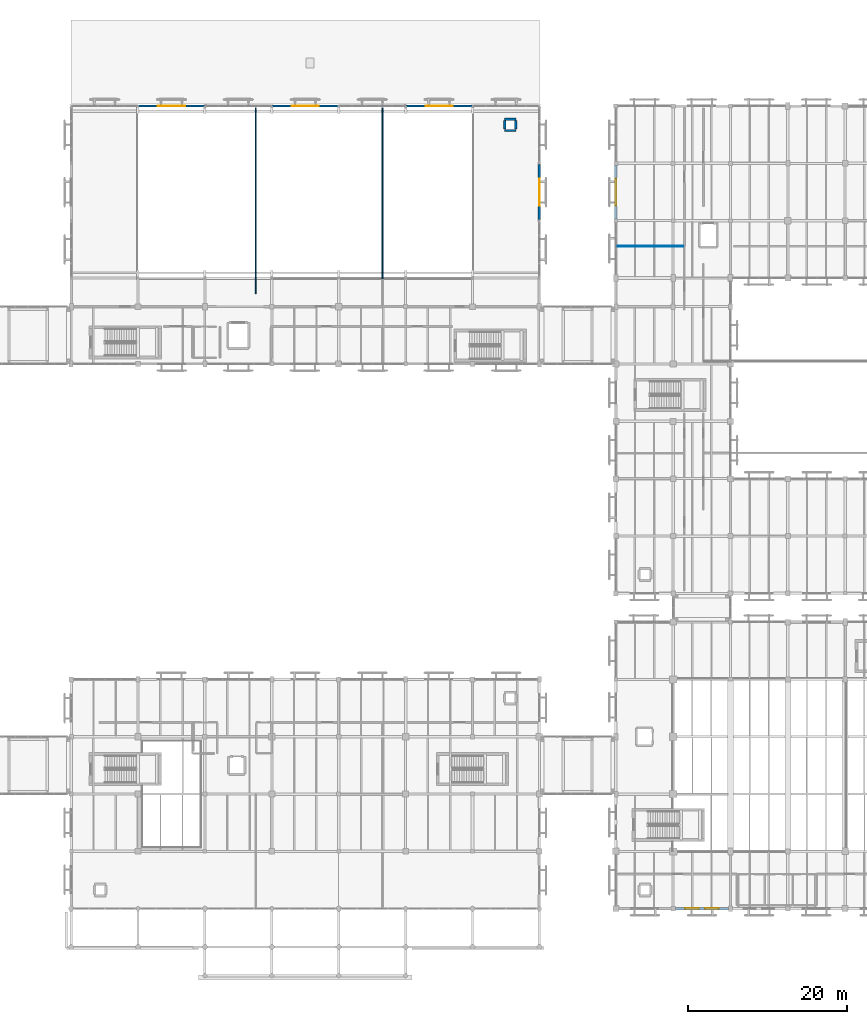
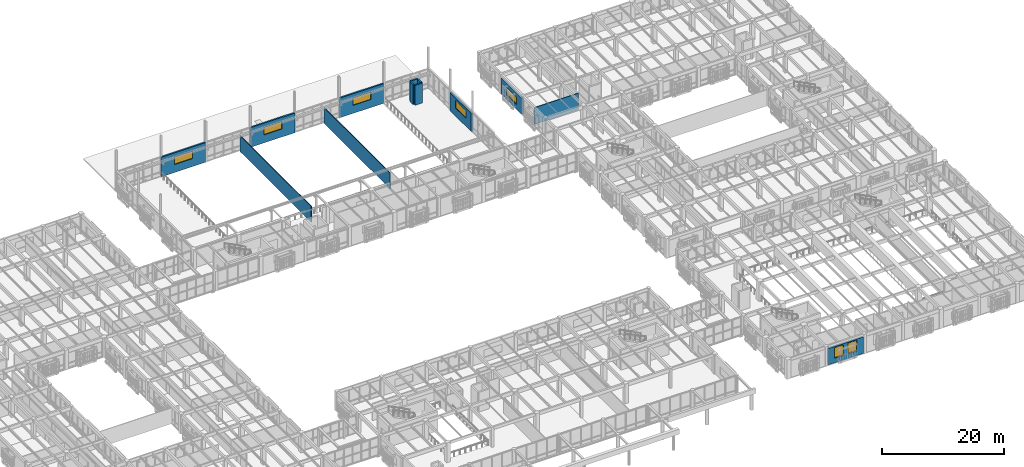
# One storey, part 136 of 170: 13 walls, 7 windows, 7 openings.
"""IFC4 building model written with IfcOpenShell, lengths in metres."""

from ifc_helpers import new_model, si_unit, direction, frame, frame_2d, origin, place, context, subcontext, project, spatial, rectangle, extrude, material, layer, layer_set, type_object, element, fill, save


model = new_model("IFC4")

# Units and contexts
model_context = context("Model", 3, precision=1e-05, world=origin(), true_north=direction((0.0, 1.0)))
body_context = subcontext(model_context, "Body", "Model", "MODEL_VIEW")
ifc_project = project(units=[si_unit("LENGTHUNIT", "METRE"), si_unit("AREAUNIT", "SQUARE_METRE"), si_unit("VOLUMEUNIT", "CUBIC_METRE"), si_unit("PLANEANGLEUNIT", "RADIAN"), si_unit("MASSUNIT", "GRAM", prefix="KILO")], contexts=[model_context])

# Site, building, storey
site_placement = place(None, origin())
site = spatial("IfcSite", under=ifc_project, at=site_placement, CompositionType="ELEMENT")
building_placement = place(site_placement, origin())
building = spatial("IfcBuilding", under=site, at=building_placement, Name="Mazaris Harbour Polytechnic", CompositionType="ELEMENT")
storey_placement = place(building_placement, frame((0.0, 0.0, 5.39990234375)))
storey = spatial("IfcBuildingStorey", under=building, at=storey_placement, Name="L01", CompositionType="ELEMENT", Elevation=5.39990234375)

# Walls
ifc_material_1 = material(Name="Gypsum Board and Mineral Wool")
ifc_layer_1 = layer(ifc_material_1, 0.1201171875, Name="Gypsum Board and Mineral Wool")
ifc_layer_set_1 = layer_set([ifc_layer_1], Name="Gypsum Board and Mineral Wool")
wall_type_1 = type_object("IfcWallType", Name="Acoustic Stud Partition 120", PredefinedType="PARTITIONING", material=ifc_layer_set_1)
wall_1_placement = place(storey_placement, frame((122.64990234375, 90.385986328125, 0.0), z_axis=(0.0, 0.0, 1.0), x_axis=(1.0, 0.0, 0.0)))
element("IfcWall", 1, at=wall_1_placement, inside=storey, type_object=wall_type_1, Name="V5 L01 Partition 583", PredefinedType="PARTITIONING", context=body_context, shape_type="SweptSolid", body=[
    extrude(rectangle(XDim=8.22998046875, YDim=0.1201171875, at=frame_2d((4.114990234375, 0.0))), origin(), (0.0, 0.0, 1.0), 3.340087890625),
])
ifc_material_2 = material(Name="Double Gypsum and Mineral Wool")
ifc_layer_2 = layer(ifc_material_2, 0.14990234375, Name="Double Gypsum and Mineral Wool")
ifc_layer_set_2 = layer_set([ifc_layer_2], Name="Double Gypsum and Mineral Wool")
wall_type_2 = type_object("IfcWallType", Name="Classroom Acoustic Partition 150", PredefinedType="PARTITIONING", material=ifc_layer_set_2)
wall_2_placement = place(storey_placement, frame((93.10009765625, 86.235107421875, 0.0), z_axis=(0.0, 0.0, 1.0), x_axis=(0.0, 1.0, 0.0)))
element("IfcWall", 2, at=wall_2_placement, inside=storey, type_object=wall_type_2, Name="V1 L01 Partition 58", PredefinedType="PARTITIONING", context=body_context, shape_type="SweptSolid", body=[
    extrude(rectangle(XDim=21.514892578125, YDim=0.14990234375, at=frame_2d((10.75732421875, 0.0))), origin(), (0.0, 0.0, 1.0), 3.125),
])

# Wall, opening, window
ifc_material_3 = material(Name="Algerian Buff Limestone and Mineral Wool", Category="masonry")
ifc_layer_3 = layer(ifc_material_3, 0.31005859375, Name="Algerian Buff Limestone and Mineral Wool")
ifc_layer_set_3 = layer_set([ifc_layer_3], Name="Algerian Buff Limestone and Mineral Wool")
wall_type_3 = type_object("IfcWallType", Name="Limestone Studio Wall 310", PredefinedType="STANDARD", material=ifc_layer_set_3)
wall_3_placement = place(storey_placement, frame((122.39990234375, 93.81689453125, 0.0), z_axis=(0.0, 0.0, 1.0), x_axis=(0.0, 1.0, 0.0)))
wall_3 = element("IfcWall", 3, at=wall_3_placement, inside=storey, type_object=wall_type_3, Name="V5 L01 Exterior Wall 323", PredefinedType="STANDARD", context=body_context, shape_type="SweptSolid", body=[
    extrude(rectangle(XDim=6.7412109375, YDim=0.31005859375, at=frame_2d((3.37060546875, 0.0))), origin(), (0.0, 0.0, 1.0), 3.18017578125),
])
opening_1_placement = place(wall_3_placement, frame((1.67041015625, 0.0, 0.89990234375)))
opening_1 = element("IfcOpeningElement", 4, at=opening_1_placement, cuts=wall_3, Name="Opening WN-16", PredefinedType="OPENING", context=body_context, shape_type="SweptSolid", body=[
    extrude(rectangle(XDim=3.39990234375, YDim=1.5, at=frame_2d((1.699951171875, 0.75))), frame((0.0, 0.1650390625, 0.0), z_axis=(0.0, -1.0, 0.0), x_axis=(1.0, 0.0, 0.0)), (0.0, 0.0, 1.0), 0.330078125),
])
ifc_material_4 = material(Name="Thermally Broken Bronze Aluminium and Low-E Glass", Category="aluminium")
window_type_1 = type_object("IfcWindowType", Name="Workshop Clerestory Ribbon 3400x1500", PartitioningType="DOUBLE_PANEL_VERTICAL", PredefinedType="WINDOW", material=ifc_material_4)
window_1_placement = place(opening_1_placement, origin())
window_1 = element("IfcWindow", 5, at=window_1_placement, inside=storey, type_object=window_type_1, Name="WN-0375", OverallHeight=1.5, OverallWidth=3.39990234375, PartitioningType="DOUBLE_PANEL_VERTICAL", PredefinedType="WINDOW", context=body_context, shape_type="SweptSolid", body=[
    extrude(rectangle(XDim=3.39990234375, YDim=1.5, at=frame_2d((1.699951171875, 0.75))), frame((0.0, 0.030029296875, 0.0), z_axis=(0.0, -1.0, 0.0), x_axis=(1.0, 0.0, 0.0)), (0.0, 0.0, 1.0), 0.06005859375),
])
fill(opening_1, window_1)

# Wall, openings, windows
ifc_material_5 = material(Name="Algerian Buff Limestone and Concrete C30/37", Category="masonry")
ifc_layer_4 = layer(ifc_material_5, 0.344970703125, Name="Algerian Buff Limestone and Concrete C30/37")
ifc_layer_set_4 = layer_set([ifc_layer_4], Name="Algerian Buff Limestone and Concrete C30/37")
wall_type_4 = type_object("IfcWallType", Name="Pavilion Gable Wall 345", PredefinedType="STANDARD", material=ifc_layer_set_4)
wall_4_placement = place(storey_placement, frame((136.55810546875, 7.199951171875, 0.0), z_axis=(0.0, 0.0, 1.0), x_axis=(-1.0, 0.0, 0.0)))
wall_4 = element("IfcWall", 6, at=wall_4_placement, inside=storey, type_object=wall_type_4, Name="V2 L01 Exterior Wall 52", PredefinedType="STANDARD", context=body_context, shape_type="SweptSolid", body=[
    extrude(rectangle(XDim=6.691162109375, YDim=0.344970703125, at=frame_2d((3.345703125, 0.0))), origin(), (0.0, 0.0, 1.0), 3.27001953125),
])
opening_2_placement = place(wall_4_placement, frame((1.24560546875, 0.0, 0.949951171875)))
opening_2 = element("IfcOpeningElement", 7, at=opening_2_placement, cuts=wall_4, Name="Opening WN-11", PredefinedType="OPENING", context=body_context, shape_type="SweptSolid", body=[
    extrude(rectangle(XDim=1.699951171875, YDim=2.10009765625, at=frame_2d((0.85009765625, 1.050048828125))), frame((0.0, 0.182373046875, 0.0), z_axis=(0.0, -1.0, 0.0), x_axis=(1.0, 0.0, 0.0)), (0.0, 0.0, 1.0), 0.364990234375),
])
opening_3_placement = place(wall_4_placement, frame((3.74560546875, 0.0, 0.949951171875)))
opening_3 = element("IfcOpeningElement", 8, at=opening_3_placement, cuts=wall_4, Name="Opening WN-11", PredefinedType="OPENING", context=body_context, shape_type="SweptSolid", body=[
    extrude(rectangle(XDim=1.699951171875, YDim=2.10009765625, at=frame_2d((0.85009765625, 1.050048828125))), frame((0.0, 0.182373046875, 0.0), z_axis=(0.0, -1.0, 0.0), x_axis=(1.0, 0.0, 0.0)), (0.0, 0.0, 1.0), 0.364990234375),
])
ifc_material_6 = material(Name="Thermally Broken Bronze Aluminium and Low-E Glass", Category="aluminium")
window_type_2 = type_object("IfcWindowType", Name="Seminar Casement Window 1700x2100", PartitioningType="DOUBLE_PANEL_VERTICAL", PredefinedType="WINDOW", material=ifc_material_6)
window_2_placement = place(opening_2_placement, origin())
window_2 = element("IfcWindow", 9, at=window_2_placement, inside=storey, type_object=window_type_2, Name="WN-0039", OverallHeight=2.10009765625, OverallWidth=1.699951171875, PartitioningType="DOUBLE_PANEL_VERTICAL", PredefinedType="WINDOW", context=body_context, shape_type="SweptSolid", body=[
    extrude(rectangle(XDim=1.699951171875, YDim=2.10009765625, at=frame_2d((0.85009765625, 1.050048828125))), frame((0.0, 0.030029296875, 0.0), z_axis=(0.0, -1.0, 0.0), x_axis=(1.0, 0.0, 0.0)), (0.0, 0.0, 1.0), 0.06005859375),
])
fill(opening_2, window_2)
window_3_placement = place(opening_3_placement, origin())
window_3 = element("IfcWindow", 10, at=window_3_placement, inside=storey, type_object=window_type_2, Name="WN-0040", OverallHeight=2.10009765625, OverallWidth=1.699951171875, PartitioningType="DOUBLE_PANEL_VERTICAL", PredefinedType="WINDOW", context=body_context, shape_type="SweptSolid", body=[
    extrude(rectangle(XDim=1.699951171875, YDim=2.10009765625, at=frame_2d((0.85009765625, 1.050048828125))), frame((0.0, 0.030029296875, 0.0), z_axis=(0.0, -1.0, 0.0), x_axis=(1.0, 0.0, 0.0)), (0.0, 0.0, 1.0), 0.06005859375),
])
fill(opening_3, window_3)

# Walls
ifc_material_7 = material(Name="Concrete C40/50", Category="concrete")
ifc_layer_5 = layer(ifc_material_7, 0.300048828125, Name="Concrete C40/50")
ifc_layer_set_5 = layer_set([ifc_layer_5], Name="Concrete C40/50")
wall_type_5 = type_object("IfcWallType", Name="RC Lift Shaft Wall 300", PredefinedType="SHEAR", material=ifc_layer_set_5)
wall_5_placement = place(storey_placement, frame((108.429931640625, 104.929931640625, 0.0), z_axis=(0.0, 0.0, 1.0), x_axis=(1.0, 0.0, 0.0)))
element("IfcWall", 11, at=wall_5_placement, inside=storey, type_object=wall_type_5, Name="V1 L01 Riser Enclosure Wall 1-1", PredefinedType="SHEAR", context=body_context, shape_type="SweptSolid", body=[
    extrude(rectangle(XDim=1.420166015625, YDim=0.300048828125, at=frame_2d((0.7099609375, 0.0))), origin(), (0.0, 0.0, 1.0), 3.960205078125),
])
wall_6_placement = place(storey_placement, frame((109.85009765625, 105.090087890625, 0.0), z_axis=(0.0, 0.0, 1.0), x_axis=(0.0, 1.0, 0.0)))
element("IfcWall", 12, at=wall_6_placement, inside=storey, type_object=wall_type_5, Name="V1 L01 Riser Enclosure Wall 1-2", PredefinedType="SHEAR", context=body_context, shape_type="SweptSolid", body=[
    extrude(rectangle(XDim=1.099853515625, YDim=0.300048828125, at=frame_2d((0.5498046875, 0.0))), origin(), (0.0, 0.0, 1.0), 3.960205078125),
])
wall_7_placement = place(storey_placement, frame((109.85009765625, 106.35009765625, 0.0), z_axis=(0.0, 0.0, 1.0), x_axis=(-1.0, 0.0, 0.0)))
element("IfcWall", 13, at=wall_7_placement, inside=storey, type_object=wall_type_5, Name="V1 L01 Riser Enclosure Wall 1-3", PredefinedType="SHEAR", context=body_context, shape_type="SweptSolid", body=[
    extrude(rectangle(XDim=1.420166015625, YDim=0.300048828125, at=frame_2d((0.7099609375, 0.0))), origin(), (0.0, 0.0, 1.0), 3.960205078125),
])
wall_8_placement = place(storey_placement, frame((108.429931640625, 106.18994140625, 0.0), z_axis=(0.0, 0.0, 1.0), x_axis=(0.0, -1.0, 0.0)))
element("IfcWall", 14, at=wall_8_placement, inside=storey, type_object=wall_type_5, Name="V1 L01 Riser Enclosure Wall 1-4", PredefinedType="SHEAR", context=body_context, shape_type="SweptSolid", body=[
    extrude(rectangle(XDim=1.099853515625, YDim=0.300048828125, at=frame_2d((0.5498046875, 0.0))), origin(), (0.0, 0.0, 1.0), 3.960205078125),
])
ifc_material_8 = material(Name="Gypsum Board and Mineral Wool")
ifc_layer_6 = layer(ifc_material_8, 0.135009765625, Name="Gypsum Board and Mineral Wool")
ifc_layer_set_6 = layer_set([ifc_layer_6], Name="Gypsum Board and Mineral Wool")
wall_type_6 = type_object("IfcWallType", Name="Studio Partition Wall 135", PredefinedType="PARTITIONING", material=ifc_layer_set_6)
wall_9_placement = place(storey_placement, frame((77.197998046875, 84.43994140625, 0.0), z_axis=(0.0, 0.0, 1.0), x_axis=(0.0, 1.0, 0.0)))
element("IfcWall", 15, at=wall_9_placement, inside=storey, type_object=wall_type_6, Name="V1 L01 Partition 54", PredefinedType="PARTITIONING", context=body_context, shape_type="SweptSolid", body=[
    extrude(rectangle(XDim=23.31005859375, YDim=0.135009765625, at=frame_2d((11.655029296875, 0.0))), origin(), (0.0, 0.0, 1.0), 3.125),
])

# Wall, opening, window
ifc_material_9 = material(Name="Terracotta Masonry and Concrete C30/37", Category="masonry")
ifc_layer_7 = layer(ifc_material_9, 0.2900390625, Name="Terracotta Masonry and Concrete C30/37")
ifc_layer_set_7 = layer_set([ifc_layer_7], Name="Terracotta Masonry and Concrete C30/37")
wall_type_7 = type_object("IfcWallType", Name="Workshop Insulated Wall 290", PredefinedType="STANDARD", material=ifc_layer_set_7)
wall_10_placement = place(storey_placement, frame((62.407958984375, 108.0, 0.0), z_axis=(0.0, 0.0, 1.0), x_axis=(1.0, 0.0, 0.0)))
wall_10 = element("IfcWall", 16, at=wall_10_placement, inside=storey, type_object=wall_type_7, Name="V1 L01 Exterior Wall 18", PredefinedType="STANDARD", context=body_context, shape_type="SweptSolid", body=[
    extrude(rectangle(XDim=8.384033203125, YDim=0.2900390625, at=frame_2d((4.19189453125, 0.0))), origin(), (0.0, 0.0, 1.0), 3.920166015625),
])
opening_4_placement = place(wall_10_placement, frame((2.491943359375, 0.0, 1.60009765625)))
opening_4 = element("IfcOpeningElement", 17, at=opening_4_placement, cuts=wall_10, Name="Opening WN-16", PredefinedType="OPENING", context=body_context, shape_type="SweptSolid", body=[
    extrude(rectangle(XDim=3.39990234375, YDim=1.5, at=frame_2d((1.699951171875, 0.75))), frame((0.0, 0.155029296875, 0.0), z_axis=(0.0, -1.0, 0.0), x_axis=(1.0, 0.0, 0.0)), (0.0, 0.0, 1.0), 0.31005859375),
])
window_4_placement = place(opening_4_placement, origin())
window_4 = element("IfcWindow", 18, at=window_4_placement, inside=storey, type_object=window_type_1, Name="WN-0008", OverallHeight=1.5, OverallWidth=3.39990234375, PartitioningType="DOUBLE_PANEL_VERTICAL", PredefinedType="WINDOW", context=body_context, shape_type="SweptSolid", body=[
    extrude(rectangle(XDim=3.39990234375, YDim=1.5, at=frame_2d((1.699951171875, 0.75))), frame((0.0, 0.030029296875, 0.0), z_axis=(0.0, -1.0, 0.0), x_axis=(1.0, 0.0, 0.0)), (0.0, 0.0, 1.0), 0.06005859375),
])
fill(opening_4, window_4)

wall_11_placement = place(storey_placement, frame((79.2080078125, 108.0, 0.0), z_axis=(0.0, 0.0, 1.0), x_axis=(1.0, 0.0, 0.0)))
wall_11 = element("IfcWall", 19, at=wall_11_placement, inside=storey, type_object=wall_type_7, Name="V1 L01 Exterior Wall 19", PredefinedType="STANDARD", context=body_context, shape_type="SweptSolid", body=[
    extrude(rectangle(XDim=8.384033203125, YDim=0.2900390625, at=frame_2d((4.19189453125, 0.0))), origin(), (0.0, 0.0, 1.0), 3.920166015625),
])
opening_5_placement = place(wall_11_placement, frame((2.491943359375, 0.0, 1.60009765625)))
opening_5 = element("IfcOpeningElement", 20, at=opening_5_placement, cuts=wall_11, Name="Opening WN-16", PredefinedType="OPENING", context=body_context, shape_type="SweptSolid", body=[
    extrude(rectangle(XDim=3.39990234375, YDim=1.5, at=frame_2d((1.699951171875, 0.75))), frame((0.0, 0.155029296875, 0.0), z_axis=(0.0, -1.0, 0.0), x_axis=(1.0, 0.0, 0.0)), (0.0, 0.0, 1.0), 0.31005859375),
])
window_5_placement = place(opening_5_placement, origin())
window_5 = element("IfcWindow", 21, at=window_5_placement, inside=storey, type_object=window_type_1, Name="WN-0009", OverallHeight=1.5, OverallWidth=3.39990234375, PartitioningType="DOUBLE_PANEL_VERTICAL", PredefinedType="WINDOW", context=body_context, shape_type="SweptSolid", body=[
    extrude(rectangle(XDim=3.39990234375, YDim=1.5, at=frame_2d((1.699951171875, 0.75))), frame((0.0, 0.030029296875, 0.0), z_axis=(0.0, -1.0, 0.0), x_axis=(1.0, 0.0, 0.0)), (0.0, 0.0, 1.0), 0.06005859375),
])
fill(opening_5, window_5)

wall_12_placement = place(storey_placement, frame((96.008056640625, 108.0, 0.0), z_axis=(0.0, 0.0, 1.0), x_axis=(1.0, 0.0, 0.0)))
wall_12 = element("IfcWall", 22, at=wall_12_placement, inside=storey, type_object=wall_type_7, Name="V1 L01 Exterior Wall 20", PredefinedType="STANDARD", context=body_context, shape_type="SweptSolid", body=[
    extrude(rectangle(XDim=8.384033203125, YDim=0.2900390625, at=frame_2d((4.19189453125, 0.0))), origin(), (0.0, 0.0, 1.0), 3.920166015625),
])
opening_6_placement = place(wall_12_placement, frame((2.491943359375, 0.0, 1.60009765625)))
opening_6 = element("IfcOpeningElement", 23, at=opening_6_placement, cuts=wall_12, Name="Opening WN-16", PredefinedType="OPENING", context=body_context, shape_type="SweptSolid", body=[
    extrude(rectangle(XDim=3.39990234375, YDim=1.5, at=frame_2d((1.699951171875, 0.75))), frame((0.0, 0.155029296875, 0.0), z_axis=(0.0, -1.0, 0.0), x_axis=(1.0, 0.0, 0.0)), (0.0, 0.0, 1.0), 0.31005859375),
])
window_6_placement = place(opening_6_placement, origin())
window_6 = element("IfcWindow", 24, at=window_6_placement, inside=storey, type_object=window_type_1, Name="WN-0010", OverallHeight=1.5, OverallWidth=3.39990234375, PartitioningType="DOUBLE_PANEL_VERTICAL", PredefinedType="WINDOW", context=body_context, shape_type="SweptSolid", body=[
    extrude(rectangle(XDim=3.39990234375, YDim=1.5, at=frame_2d((1.699951171875, 0.75))), frame((0.0, 0.030029296875, 0.0), z_axis=(0.0, -1.0, 0.0), x_axis=(1.0, 0.0, 0.0)), (0.0, 0.0, 1.0), 0.06005859375),
])
fill(opening_6, window_6)

wall_13_placement = place(storey_placement, frame((112.800048828125, 100.6630859375, 0.0), z_axis=(0.0, 0.0, 1.0), x_axis=(0.0, -1.0, 0.0)))
wall_13 = element("IfcWall", 25, at=wall_13_placement, inside=storey, type_object=wall_type_7, Name="V1 L01 Exterior Wall 24", PredefinedType="STANDARD", context=body_context, shape_type="SweptSolid", body=[
    extrude(rectangle(XDim=6.946044921875, YDim=0.2900390625, at=frame_2d((3.47314453125, 0.0))), origin(), (0.0, 0.0, 1.0), 3.590087890625),
])
opening_7_placement = place(wall_13_placement, frame((1.77294921875, 0.0, 1.60009765625)))
opening_7 = element("IfcOpeningElement", 26, at=opening_7_placement, cuts=wall_13, Name="Opening WN-16", PredefinedType="OPENING", context=body_context, shape_type="SweptSolid", body=[
    extrude(rectangle(XDim=3.39990234375, YDim=1.5, at=frame_2d((1.699951171875, 0.75))), frame((0.0, 0.155029296875, 0.0), z_axis=(0.0, -1.0, 0.0), x_axis=(1.0, 0.0, 0.0)), (0.0, 0.0, 1.0), 0.31005859375),
])
window_7_placement = place(opening_7_placement, origin())
window_7 = element("IfcWindow", 27, at=window_7_placement, inside=storey, type_object=window_type_1, Name="WN-0012", OverallHeight=1.5, OverallWidth=3.39990234375, PartitioningType="DOUBLE_PANEL_VERTICAL", PredefinedType="WINDOW", context=body_context, shape_type="SweptSolid", body=[
    extrude(rectangle(XDim=3.39990234375, YDim=1.5, at=frame_2d((1.699951171875, 0.75))), frame((0.0, 0.030029296875, 0.0), z_axis=(0.0, -1.0, 0.0), x_axis=(1.0, 0.0, 0.0)), (0.0, 0.0, 1.0), 0.06005859375),
])
fill(opening_7, window_7)

save(model, "model.ifc")
